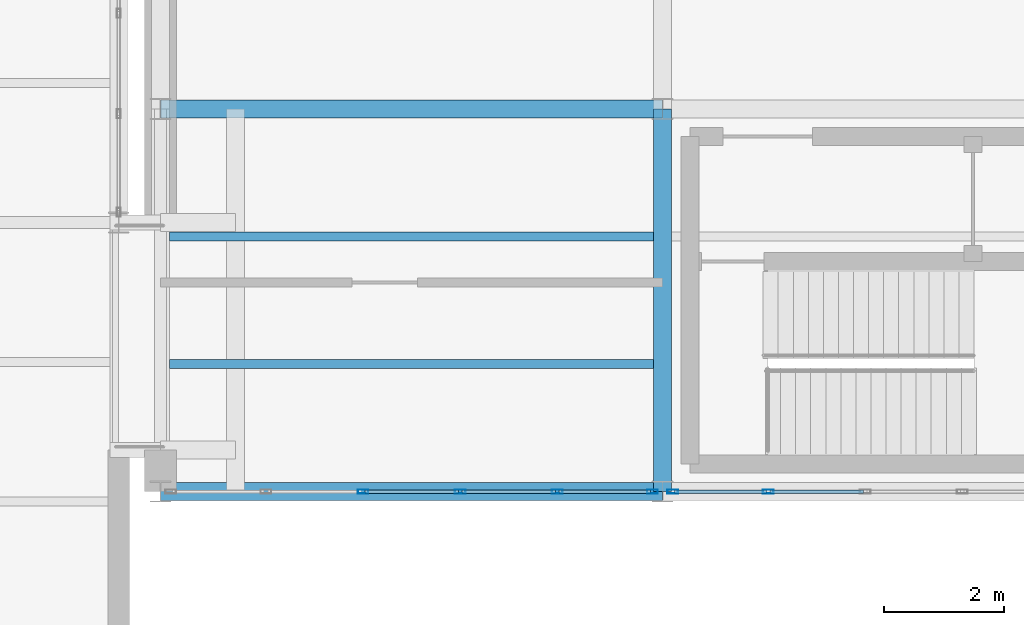
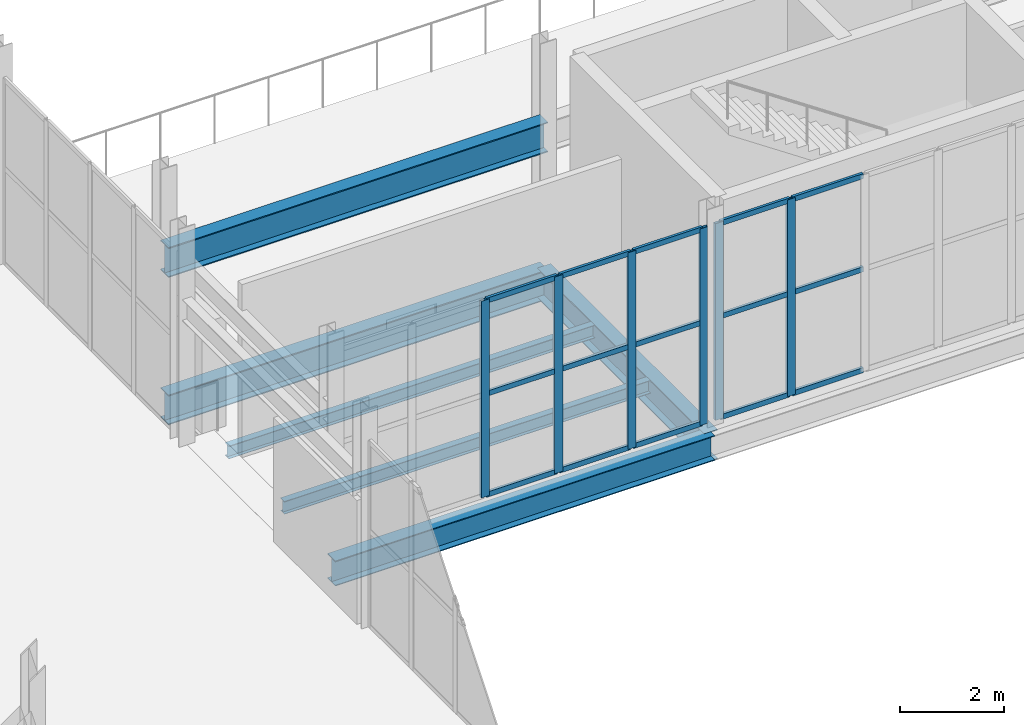
# One storey, part 48 of 218: 21 members, 6 beams, 2 elements without a shape of their own.
"""IFC4 building model written with IfcOpenShell, lengths in metres."""

from ifc_helpers import new_model, si_unit, direction, frame, origin, origin_2d, place, context, subcontext, project, spatial, hollow_rectangle, i_section, extrude, material, material_profile, profile_set, type_object, element, aggregate, save


model = new_model("IFC4")

# Units and contexts
model_context = context("Model", 3, precision=1e-05, world=origin(), true_north=direction((0.0, 1.0)))
body_context = subcontext(model_context, "Body", "Model", "MODEL_VIEW")
ifc_project = project(units=[si_unit("LENGTHUNIT", "METRE"), si_unit("AREAUNIT", "SQUARE_METRE"), si_unit("VOLUMEUNIT", "CUBIC_METRE"), si_unit("PLANEANGLEUNIT", "RADIAN"), si_unit("MASSUNIT", "GRAM", prefix="KILO")], contexts=[model_context])

# Site, building, storey
site_placement = place(None, origin())
site = spatial("IfcSite", under=ifc_project, at=site_placement, CompositionType="ELEMENT")
building_placement = place(site_placement, origin())
building = spatial("IfcBuilding", under=site, at=building_placement, Name="Kazenagashi Tramway Depot", CompositionType="ELEMENT")
storey_placement = place(building_placement, frame((0.0, 0.0, 6.0)))
storey = spatial("IfcBuildingStorey", under=building, at=storey_placement, Name="L02", CompositionType="ELEMENT", Elevation=6.0)

# Beams
ifc_material_1 = material(Name="Steel SN490B", Category="steel")
ifc_material_profile_1 = material_profile(ifc_material_1, i_section(OverallWidth=0.3, OverallDepth=0.7, WebThickness=0.013, FlangeThickness=0.024, at=origin_2d()), Name="H-700x300x13x24")
ifc_profile_set_1 = profile_set([ifc_material_profile_1], Name="Steel SN490B")
beam_type_1 = type_object("IfcBeamType", Name="G-02", PredefinedType="BEAM", material=ifc_profile_set_1)
beam_1_placement = place(storey_placement, frame((44.8, 22.9, -0.6), z_axis=(1.0, 0.0, 0.0), x_axis=(0.0, 1.0, 0.0)))
element("IfcBeam", 1, at=beam_1_placement, inside=storey, type_object=beam_type_1, Name="Beam G-02 BM-1006", PredefinedType="BEAM", context=body_context, shape_type="SweptSolid", body=[
    extrude(i_section(OverallWidth=0.3, OverallDepth=0.7, WebThickness=0.013, FlangeThickness=0.024, at=origin_2d()), origin(), (0.0, 0.0, 1.0), 8.4),
])
beam_2_placement = place(storey_placement, frame((53.2, 16.5, -0.6), z_axis=(0.0, 1.0, 0.0), x_axis=(-1.0, 0.0, 0.0)))
element("IfcBeam", 2, at=beam_2_placement, inside=storey, type_object=beam_type_1, Name="Beam G-02 BM-1036", PredefinedType="BEAM", context=body_context, shape_type="SweptSolid", body=[
    extrude(i_section(OverallWidth=0.3, OverallDepth=0.7, WebThickness=0.013, FlangeThickness=0.024, at=origin_2d()), origin(), (0.0, 0.0, 1.0), 6.4),
])
beam_3_placement = place(storey_placement, frame((44.8, 22.9, 2.85), z_axis=(1.0, 0.0, 0.0), x_axis=(0.0, 1.0, 0.0)))
element("IfcBeam", 3, at=beam_3_placement, inside=storey, type_object=beam_type_1, Name="Beam G-02 BM-1149", PredefinedType="BEAM", context=body_context, shape_type="SweptSolid", body=[
    extrude(i_section(OverallWidth=0.3, OverallDepth=0.7, WebThickness=0.013, FlangeThickness=0.024, at=origin_2d()), origin(), (0.0, 0.0, 1.0), 8.4),
])
ifc_material_2 = material(Name="Steel SN400B", Category="steel")
ifc_material_profile_2 = material_profile(ifc_material_2, i_section(OverallWidth=0.15, OverallDepth=0.3, WebThickness=0.0065, FlangeThickness=0.009, at=origin_2d()), Name="H-300x150x6.5x9")
ifc_profile_set_2 = profile_set([ifc_material_profile_2], Name="Steel SN400B")
beam_type_2 = type_object("IfcBeamType", Name="J-02", PredefinedType="JOIST", material=ifc_profile_set_2)
for number, where, z_axis, x_axis, name in (
    (4, (44.95, 18.633, -0.4), (1.0, 0.0, 0.0), (0.0, 1.0, 0.0), "Beam J-02 BM-1031"),
    (5, (44.95, 20.767, -0.4), (1.0, 0.0, 0.0), (0.0, 1.0, 0.0), "Beam J-02 BM-1032"),
):
    element("IfcBeam", number, at=place(storey_placement, frame(where, z_axis=z_axis, x_axis=x_axis)), inside=storey, type_object=beam_type_2, Name=name, PredefinedType="JOIST", context=body_context, shape_type="SweptSolid", body=[
        extrude(i_section(OverallWidth=0.15, OverallDepth=0.3, WebThickness=0.0065, FlangeThickness=0.009, at=origin_2d()), origin(), (0.0, 0.0, 1.0), 8.1),
    ])

# Curtain wall, members
ifc_material_3 = material(Name="Anodised Aluminium and Low-E Glazing", Category="aluminium")
curtain_wall_type = type_object("IfcCurtainWallType", Name="CW-20", PredefinedType="USERDEFINED", material=ifc_material_3)
curtain_wall_1_placement = place(storey_placement, origin())
curtain_wall_1 = element("IfcCurtainWall", 6, at=curtain_wall_1_placement, inside=storey, type_object=curtain_wall_type, Name="Industrial Glazed Screen CW-20 CW-0095", ObjectType="GLAZED SCREEN", PredefinedType="USERDEFINED")
ifc_material_4 = material(Name="Anodised Aluminium", Category="aluminium")
ifc_material_profile_3 = material_profile(ifc_material_4, hollow_rectangle(XDim=0.07, YDim=0.18, WallThickness=0.005, at=origin_2d()), Name="RHS-180x70x5")
ifc_profile_set_3 = profile_set([ifc_material_profile_3], Name="Anodised Aluminium")
member_type_1 = type_object("IfcMemberType", Name="ML-02", PredefinedType="MULLION", material=ifc_profile_set_3)
member_1_placement = place(storey_placement, frame((48.188, 16.5, 0.0), z_axis=(0.0, 0.0, 1.0), x_axis=(0.0, 1.0, 0.0)))
member_1 = element("IfcMember", 7, at=member_1_placement, type_object=member_type_1, Name="CW-20 mullion 3", PredefinedType="MULLION", context=body_context, shape_type="SweptSolid", body=[
    extrude(hollow_rectangle(XDim=0.07, YDim=0.18, WallThickness=0.005, at=origin_2d()), origin(), (0.0, 0.0, 1.0), 4.6),
])
member_2_placement = place(storey_placement, frame((49.812, 16.5, 0.0), z_axis=(0.0, 0.0, 1.0), x_axis=(0.0, 1.0, 0.0)))
member_2 = element("IfcMember", 8, at=member_2_placement, type_object=member_type_1, Name="CW-20 mullion 4", PredefinedType="MULLION", context=body_context, shape_type="SweptSolid", body=[
    extrude(hollow_rectangle(XDim=0.07, YDim=0.18, WallThickness=0.005, at=origin_2d()), origin(), (0.0, 0.0, 1.0), 4.6),
])
member_3_placement = place(storey_placement, frame((51.436, 16.5, 0.0), z_axis=(0.0, 0.0, 1.0), x_axis=(0.0, 1.0, 0.0)))
member_3 = element("IfcMember", 9, at=member_3_placement, type_object=member_type_1, Name="CW-20 mullion 5", PredefinedType="MULLION", context=body_context, shape_type="SweptSolid", body=[
    extrude(hollow_rectangle(XDim=0.07, YDim=0.18, WallThickness=0.005, at=origin_2d()), origin(), (0.0, 0.0, 1.0), 4.6),
])
member_4_placement = place(storey_placement, frame((53.03, 16.5, 0.0), z_axis=(0.0, 0.0, 1.0), x_axis=(0.0, 1.0, 0.0)))
member_4 = element("IfcMember", 10, at=member_4_placement, type_object=member_type_1, Name="CW-20 mullion 6", PredefinedType="MULLION", context=body_context, shape_type="SweptSolid", body=[
    extrude(hollow_rectangle(XDim=0.07, YDim=0.18, WallThickness=0.005, at=origin_2d()), origin(), (0.0, 0.0, 1.0), 4.6),
])

curtain_wall_2_placement = place(storey_placement, origin())
curtain_wall_2 = element("IfcCurtainWall", 11, at=curtain_wall_2_placement, inside=storey, type_object=curtain_wall_type, Name="Industrial Glazed Screen CW-20 CW-0096", ObjectType="GLAZED SCREEN", PredefinedType="USERDEFINED")
member_5_placement = place(storey_placement, frame((53.37, 16.5, 0.0), z_axis=(0.0, 0.0, 1.0), x_axis=(0.0, 1.0, 0.0)))
member_5 = element("IfcMember", 12, at=member_5_placement, type_object=member_type_1, Name="CW-20 mullion 1", PredefinedType="MULLION", context=body_context, shape_type="SweptSolid", body=[
    extrude(hollow_rectangle(XDim=0.07, YDim=0.18, WallThickness=0.005, at=origin_2d()), origin(), (0.0, 0.0, 1.0), 4.6),
])
member_6_placement = place(storey_placement, frame((54.964, 16.5, 0.0), z_axis=(0.0, 0.0, 1.0), x_axis=(0.0, 1.0, 0.0)))
member_6 = element("IfcMember", 13, at=member_6_placement, type_object=member_type_1, Name="CW-20 mullion 2", PredefinedType="MULLION", context=body_context, shape_type="SweptSolid", body=[
    extrude(hollow_rectangle(XDim=0.07, YDim=0.18, WallThickness=0.005, at=origin_2d()), origin(), (0.0, 0.0, 1.0), 4.6),
])

# Beam
ifc_material_profile_4 = material_profile(ifc_material_1, i_section(OverallWidth=0.3, OverallDepth=0.588, WebThickness=0.012, FlangeThickness=0.02, at=origin_2d()), Name="H-588x300x12x20")
ifc_profile_set_4 = profile_set([ifc_material_profile_4], Name="Steel SN490B")
beam_type_3 = type_object("IfcBeamType", Name="SP-01", PredefinedType="SPANDREL", material=ifc_profile_set_4)
beam_4_placement = place(storey_placement, frame((44.8, 16.5, -0.544), z_axis=(1.0, 0.0, 0.0), x_axis=(0.0, 1.0, 0.0)))
element("IfcBeam", 14, at=beam_4_placement, inside=storey, type_object=beam_type_3, Name="Beam SP-01 BM-0994", PredefinedType="SPANDREL", context=body_context, shape_type="SweptSolid", body=[
    extrude(i_section(OverallWidth=0.3, OverallDepth=0.588, WebThickness=0.012, FlangeThickness=0.02, at=origin_2d()), origin(), (0.0, 0.0, 1.0), 8.4),
])

# Member
ifc_material_profile_5 = material_profile(ifc_material_4, hollow_rectangle(XDim=0.06, YDim=0.12, WallThickness=0.004, at=origin_2d()), Name="RHS-120x60x4")
ifc_profile_set_5 = profile_set([ifc_material_profile_5], Name="Anodised Aluminium")
member_type_2 = type_object("IfcMemberType", Name="TR-01", PredefinedType="USERDEFINED", material=ifc_profile_set_5)
member_7_placement = place(storey_placement, frame((48.218, 16.5, 0.03), z_axis=(1.0, 0.0, 0.0), x_axis=(0.0, 1.0, 0.0)))
member_7 = element("IfcMember", 15, at=member_7_placement, type_object=member_type_2, Name="CW-20 transom 3.1", ObjectType="TRANSOM", PredefinedType="USERDEFINED", context=body_context, shape_type="SweptSolid", body=[
    extrude(hollow_rectangle(XDim=0.06, YDim=0.12, WallThickness=0.004, at=origin_2d()), origin(), (0.0, 0.0, 1.0), 1.564),
])

member_8_placement = place(storey_placement, frame((48.218, 16.5, 2.392), z_axis=(1.0, 0.0, 0.0), x_axis=(0.0, 1.0, 0.0)))
member_8 = element("IfcMember", 16, at=member_8_placement, type_object=member_type_2, Name="CW-20 transom 3.2", ObjectType="TRANSOM", PredefinedType="USERDEFINED", context=body_context, shape_type="SweptSolid", body=[
    extrude(hollow_rectangle(XDim=0.06, YDim=0.12, WallThickness=0.004, at=origin_2d()), origin(), (0.0, 0.0, 1.0), 1.564),
])

member_9_placement = place(storey_placement, frame((48.218, 16.5, 4.57), z_axis=(1.0, 0.0, 0.0), x_axis=(0.0, 1.0, 0.0)))
member_9 = element("IfcMember", 17, at=member_9_placement, type_object=member_type_2, Name="CW-20 transom 3.3", ObjectType="TRANSOM", PredefinedType="USERDEFINED", context=body_context, shape_type="SweptSolid", body=[
    extrude(hollow_rectangle(XDim=0.06, YDim=0.12, WallThickness=0.004, at=origin_2d()), origin(), (0.0, 0.0, 1.0), 1.564),
])

member_10_placement = place(storey_placement, frame((49.842, 16.5, 0.03), z_axis=(1.0, 0.0, 0.0), x_axis=(0.0, 1.0, 0.0)))
member_10 = element("IfcMember", 18, at=member_10_placement, type_object=member_type_2, Name="CW-20 transom 4.1", ObjectType="TRANSOM", PredefinedType="USERDEFINED", context=body_context, shape_type="SweptSolid", body=[
    extrude(hollow_rectangle(XDim=0.06, YDim=0.12, WallThickness=0.004, at=origin_2d()), origin(), (0.0, 0.0, 1.0), 1.564),
])

member_11_placement = place(storey_placement, frame((49.842, 16.5, 2.392), z_axis=(1.0, 0.0, 0.0), x_axis=(0.0, 1.0, 0.0)))
member_11 = element("IfcMember", 19, at=member_11_placement, type_object=member_type_2, Name="CW-20 transom 4.2", ObjectType="TRANSOM", PredefinedType="USERDEFINED", context=body_context, shape_type="SweptSolid", body=[
    extrude(hollow_rectangle(XDim=0.06, YDim=0.12, WallThickness=0.004, at=origin_2d()), origin(), (0.0, 0.0, 1.0), 1.564),
])

member_12_placement = place(storey_placement, frame((49.842, 16.5, 4.57), z_axis=(1.0, 0.0, 0.0), x_axis=(0.0, 1.0, 0.0)))
member_12 = element("IfcMember", 20, at=member_12_placement, type_object=member_type_2, Name="CW-20 transom 4.3", ObjectType="TRANSOM", PredefinedType="USERDEFINED", context=body_context, shape_type="SweptSolid", body=[
    extrude(hollow_rectangle(XDim=0.06, YDim=0.12, WallThickness=0.004, at=origin_2d()), origin(), (0.0, 0.0, 1.0), 1.564),
])

member_13_placement = place(storey_placement, frame((51.466, 16.5, 0.03), z_axis=(1.0, 0.0, 0.0), x_axis=(0.0, 1.0, 0.0)))
member_13 = element("IfcMember", 21, at=member_13_placement, type_object=member_type_2, Name="CW-20 transom 5.1", ObjectType="TRANSOM", PredefinedType="USERDEFINED", context=body_context, shape_type="SweptSolid", body=[
    extrude(hollow_rectangle(XDim=0.06, YDim=0.12, WallThickness=0.004, at=origin_2d()), origin(), (0.0, 0.0, 1.0), 1.534),
])

member_14_placement = place(storey_placement, frame((51.466, 16.5, 2.392), z_axis=(1.0, 0.0, 0.0), x_axis=(0.0, 1.0, 0.0)))
member_14 = element("IfcMember", 22, at=member_14_placement, type_object=member_type_2, Name="CW-20 transom 5.2", ObjectType="TRANSOM", PredefinedType="USERDEFINED", context=body_context, shape_type="SweptSolid", body=[
    extrude(hollow_rectangle(XDim=0.06, YDim=0.12, WallThickness=0.004, at=origin_2d()), origin(), (0.0, 0.0, 1.0), 1.534),
])

member_15_placement = place(storey_placement, frame((51.466, 16.5, 4.57), z_axis=(1.0, 0.0, 0.0), x_axis=(0.0, 1.0, 0.0)))
member_15 = element("IfcMember", 23, at=member_15_placement, type_object=member_type_2, Name="CW-20 transom 5.3", ObjectType="TRANSOM", PredefinedType="USERDEFINED", context=body_context, shape_type="SweptSolid", body=[
    extrude(hollow_rectangle(XDim=0.06, YDim=0.12, WallThickness=0.004, at=origin_2d()), origin(), (0.0, 0.0, 1.0), 1.534),
])

aggregate(curtain_wall_1, [member_1, member_2, member_3, member_4, member_7, member_8, member_9, member_10, member_11, member_12, member_13, member_14, member_15])

member_16_placement = place(storey_placement, frame((53.4, 16.5, 0.03), z_axis=(1.0, 0.0, 0.0), x_axis=(0.0, 1.0, 0.0)))
member_16 = element("IfcMember", 24, at=member_16_placement, type_object=member_type_2, Name="CW-20 transom 1.1", ObjectType="TRANSOM", PredefinedType="USERDEFINED", context=body_context, shape_type="SweptSolid", body=[
    extrude(hollow_rectangle(XDim=0.06, YDim=0.12, WallThickness=0.004, at=origin_2d()), origin(), (0.0, 0.0, 1.0), 1.534),
])

member_17_placement = place(storey_placement, frame((53.4, 16.5, 2.392), z_axis=(1.0, 0.0, 0.0), x_axis=(0.0, 1.0, 0.0)))
member_17 = element("IfcMember", 25, at=member_17_placement, type_object=member_type_2, Name="CW-20 transom 1.2", ObjectType="TRANSOM", PredefinedType="USERDEFINED", context=body_context, shape_type="SweptSolid", body=[
    extrude(hollow_rectangle(XDim=0.06, YDim=0.12, WallThickness=0.004, at=origin_2d()), origin(), (0.0, 0.0, 1.0), 1.534),
])

member_18_placement = place(storey_placement, frame((53.4, 16.5, 4.57), z_axis=(1.0, 0.0, 0.0), x_axis=(0.0, 1.0, 0.0)))
member_18 = element("IfcMember", 26, at=member_18_placement, type_object=member_type_2, Name="CW-20 transom 1.3", ObjectType="TRANSOM", PredefinedType="USERDEFINED", context=body_context, shape_type="SweptSolid", body=[
    extrude(hollow_rectangle(XDim=0.06, YDim=0.12, WallThickness=0.004, at=origin_2d()), origin(), (0.0, 0.0, 1.0), 1.534),
])

member_19_placement = place(storey_placement, frame((54.994, 16.5, 0.03), z_axis=(1.0, 0.0, 0.0), x_axis=(0.0, 1.0, 0.0)))
member_19 = element("IfcMember", 27, at=member_19_placement, type_object=member_type_2, Name="CW-20 transom 2.1", ObjectType="TRANSOM", PredefinedType="USERDEFINED", context=body_context, shape_type="SweptSolid", body=[
    extrude(hollow_rectangle(XDim=0.06, YDim=0.12, WallThickness=0.004, at=origin_2d()), origin(), (0.0, 0.0, 1.0), 1.564),
])

member_20_placement = place(storey_placement, frame((54.994, 16.5, 2.392), z_axis=(1.0, 0.0, 0.0), x_axis=(0.0, 1.0, 0.0)))
member_20 = element("IfcMember", 28, at=member_20_placement, type_object=member_type_2, Name="CW-20 transom 2.2", ObjectType="TRANSOM", PredefinedType="USERDEFINED", context=body_context, shape_type="SweptSolid", body=[
    extrude(hollow_rectangle(XDim=0.06, YDim=0.12, WallThickness=0.004, at=origin_2d()), origin(), (0.0, 0.0, 1.0), 1.564),
])

member_21_placement = place(storey_placement, frame((54.994, 16.5, 4.57), z_axis=(1.0, 0.0, 0.0), x_axis=(0.0, 1.0, 0.0)))
member_21 = element("IfcMember", 29, at=member_21_placement, type_object=member_type_2, Name="CW-20 transom 2.3", ObjectType="TRANSOM", PredefinedType="USERDEFINED", context=body_context, shape_type="SweptSolid", body=[
    extrude(hollow_rectangle(XDim=0.06, YDim=0.12, WallThickness=0.004, at=origin_2d()), origin(), (0.0, 0.0, 1.0), 1.564),
])

aggregate(curtain_wall_2, [member_5, member_6, member_16, member_17, member_18, member_19, member_20, member_21])

save(model, "model.ifc")
